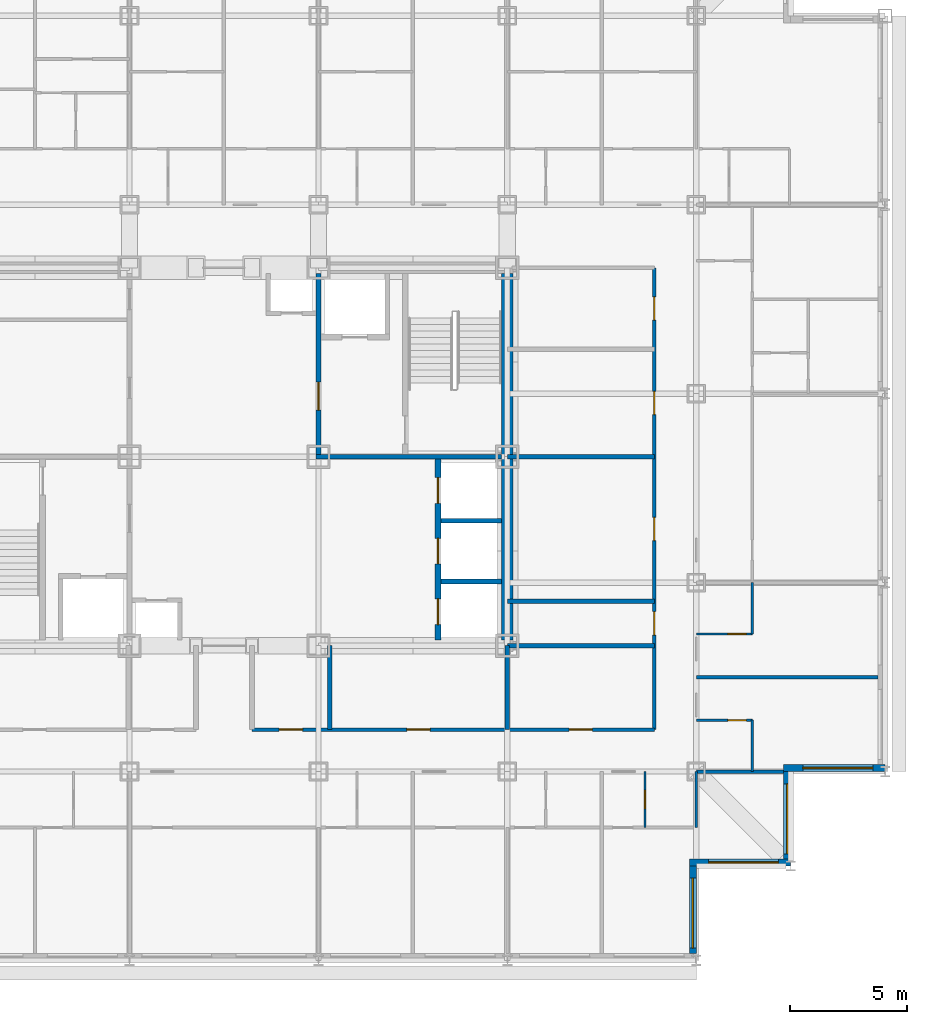
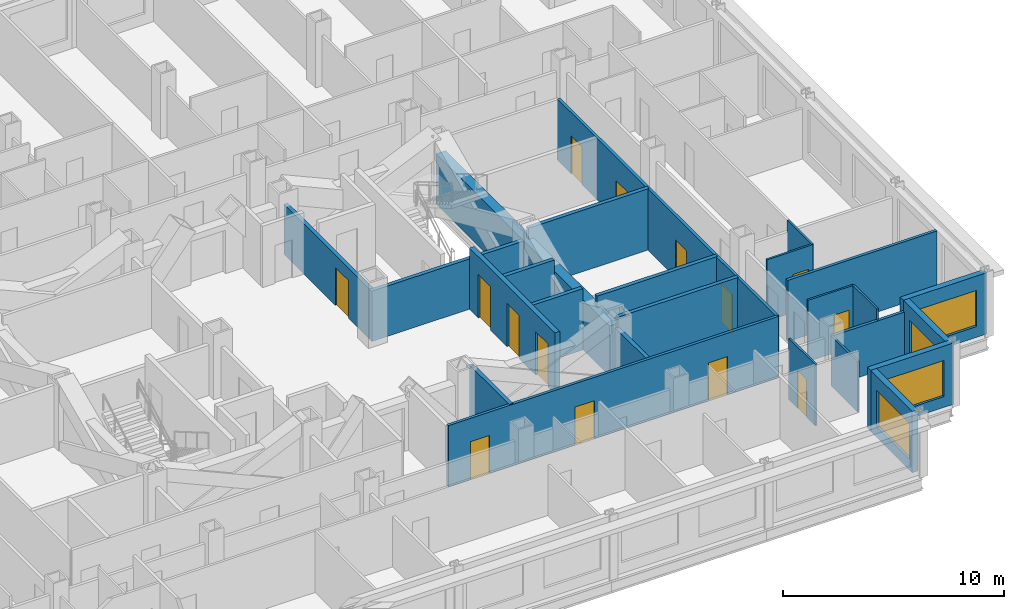
# One storey, part 7 of 12: 25 walls, 14 doors, 4 windows, 18 openings.
"""IFC4 building model written with IfcOpenShell, lengths in metres."""

from ifc_helpers import new_model, si_unit, direction, frame, frame_2d, origin, place, context, subcontext, project, spatial, rectangle, extrude, material, layer, layer_set, type_object, element, fill, save


model = new_model("IFC4")

# Units and contexts
model_context = context("Model", 3, precision=1e-05, world=origin(), true_north=direction((0.0, 1.0)))
body_context = subcontext(model_context, "Body", "Model", "MODEL_VIEW")
ifc_project = project(units=[si_unit("LENGTHUNIT", "METRE"), si_unit("AREAUNIT", "SQUARE_METRE"), si_unit("VOLUMEUNIT", "CUBIC_METRE"), si_unit("PLANEANGLEUNIT", "RADIAN"), si_unit("MASSUNIT", "GRAM", prefix="KILO")], contexts=[model_context])

# Site, building, storey
site_placement = place(None, origin())
site = spatial("IfcSite", under=ifc_project, at=site_placement, CompositionType="ELEMENT")
building_placement = place(site_placement, origin())
building = spatial("IfcBuilding", under=site, at=building_placement, Name="Kopane Lantern Tower", CompositionType="ELEMENT")
storey_placement = place(building_placement, frame((0.0, 0.0, 195.60009765625)))
storey = spatial("IfcBuildingStorey", under=building, at=storey_placement, Name="L50", CompositionType="ELEMENT", Elevation=195.60009765625)

# Wall
ifc_material_1 = material(Name="Moisture-resistant board on steel studs", Category="steel")
ifc_layer_1 = layer(ifc_material_1, 0.10009765625)
ifc_layer_set_1 = layer_set([ifc_layer_1], Name="BATHROOM WALL 100")
wall_type_1 = type_object("IfcWallType", Name="BATHROOM WALL 100", PredefinedType="PARTITIONING", material=ifc_layer_set_1)
wall_1_placement = place(storey_placement, frame((51.0, 18.89990234375, 0.0), z_axis=(0.0, 0.0, 1.0), x_axis=(0.0, 1.0, 0.0)))
element("IfcWall", 1, at=wall_1_placement, inside=storey, type_object=wall_type_1, Name="Bathroom Wall 100 L50", PredefinedType="PARTITIONING", context=body_context, shape_type="SweptSolid", body=[
    extrude(rectangle(XDim=2.2001953125, YDim=0.10009765625, at=frame_2d((1.10009765625, 0.0))), origin(), (0.0, 0.0, 1.0), 3.389892578125),
])

# Wall, opening, door
wall_2_placement = place(storey_placement, frame((48.60009765625, 21.10009765625, 0.0), z_axis=(0.0, 0.0, 1.0), x_axis=(1.0, 0.0, 0.0)))
wall_2 = element("IfcWall", 2, at=wall_2_placement, inside=storey, type_object=wall_type_1, Name="Bathroom Wall 100 L50", PredefinedType="PARTITIONING", context=body_context, shape_type="SweptSolid", body=[
    extrude(rectangle(XDim=2.39990234375, YDim=0.10009765625, at=frame_2d((1.199951171875, 0.0))), origin(), (0.0, 0.0, 1.0), 3.389892578125),
])
opening_1_placement = place(wall_2_placement, frame((1.35009765625, 0.0, 0.0)))
opening_1 = element("IfcOpeningElement", 3, at=opening_1_placement, cuts=wall_2, Name="Opening L50-052", PredefinedType="OPENING", context=body_context, shape_type="SweptSolid", body=[
    extrude(rectangle(XDim=0.800048828125, YDim=2.10009765625, at=frame_2d((0.39990234375, 1.050048828125))), frame((0.0, 0.06005859375, 0.0), z_axis=(0.0, -1.0, 0.0), x_axis=(1.0, 0.0, 0.0)), (0.0, 0.0, 1.0), 0.1201171875),
])
ifc_material_2 = material(Name="Timber door set", Category="wood")
door_type_1 = type_object("IfcDoorType", Name="DOOR D2 800x2100", OperationType="SINGLE_SWING_LEFT", PredefinedType="DOOR", material=ifc_material_2)
door_1_placement = place(opening_1_placement, origin())
door_1 = element("IfcDoor", 4, at=door_1_placement, inside=storey, type_object=door_type_1, Name="Door L50-052", OperationType="SINGLE_SWING_LEFT", OverallHeight=2.10009765625, OverallWidth=0.800048828125, PredefinedType="DOOR", context=body_context, shape_type="SweptSolid", body=[
    extrude(rectangle(XDim=0.800048828125, YDim=2.10009765625, at=frame_2d((0.39990234375, 1.050048828125))), frame((0.0, 0.02490234375, 0.0), z_axis=(0.0, -1.0, 0.0), x_axis=(1.0, 0.0, 0.0)), (0.0, 0.0, 1.0), 0.050048828125),
])
fill(opening_1, door_1)

# Wall
wall_3_placement = place(storey_placement, frame((51.0, 24.800048828125, 0.0), z_axis=(0.0, 0.0, 1.0), x_axis=(0.0, 1.0, 0.0)))
element("IfcWall", 5, at=wall_3_placement, inside=storey, type_object=wall_type_1, Name="Bathroom Wall 100 L50", PredefinedType="PARTITIONING", context=body_context, shape_type="SweptSolid", body=[
    extrude(rectangle(XDim=2.199951171875, YDim=0.10009765625, at=frame_2d((1.10009765625, 0.0))), origin(), (0.0, 0.0, 1.0), 3.389892578125),
])

# Wall, opening, door
wall_4_placement = place(storey_placement, frame((48.60009765625, 24.800048828125, 0.0), z_axis=(0.0, 0.0, 1.0), x_axis=(1.0, 0.0, 0.0)))
wall_4 = element("IfcWall", 6, at=wall_4_placement, inside=storey, type_object=wall_type_1, Name="Bathroom Wall 100 L50", PredefinedType="PARTITIONING", context=body_context, shape_type="SweptSolid", body=[
    extrude(rectangle(XDim=2.39990234375, YDim=0.10009765625, at=frame_2d((1.199951171875, 0.0))), origin(), (0.0, 0.0, 1.0), 3.389892578125),
])
opening_2_placement = place(wall_4_placement, frame((1.35009765625, 0.0, 0.0)))
opening_2 = element("IfcOpeningElement", 7, at=opening_2_placement, cuts=wall_4, Name="Opening L50-054", PredefinedType="OPENING", context=body_context, shape_type="SweptSolid", body=[
    extrude(rectangle(XDim=0.800048828125, YDim=2.10009765625, at=frame_2d((0.39990234375, 1.050048828125))), frame((0.0, 0.06005859375, 0.0), z_axis=(0.0, -1.0, 0.0), x_axis=(1.0, 0.0, 0.0)), (0.0, 0.0, 1.0), 0.1201171875),
])
door_2_placement = place(opening_2_placement, origin())
door_2 = element("IfcDoor", 8, at=door_2_placement, inside=storey, type_object=door_type_1, Name="Door L50-054", OperationType="SINGLE_SWING_RIGHT", OverallHeight=2.10009765625, OverallWidth=0.800048828125, PredefinedType="DOOR", context=body_context, shape_type="SweptSolid", body=[
    extrude(rectangle(XDim=0.800048828125, YDim=2.10009765625, at=frame_2d((0.39990234375, 1.050048828125))), frame((0.0, 0.02490234375, 0.0), z_axis=(0.0, -1.0, 0.0), x_axis=(1.0, 0.0, 0.0)), (0.0, 0.0, 1.0), 0.050048828125),
])
fill(opening_2, door_2)

wall_5_placement = place(storey_placement, frame((46.39990234375, 18.89990234375, 0.0), z_axis=(0.0, 0.0, 1.0), x_axis=(0.0, -1.0, 0.0)))
wall_5 = element("IfcWall", 9, at=wall_5_placement, inside=storey, type_object=wall_type_1, Name="Bathroom Wall 100 L50", PredefinedType="PARTITIONING", context=body_context, shape_type="SweptSolid", body=[
    extrude(rectangle(XDim=2.39990234375, YDim=0.10009765625, at=frame_2d((1.199951171875, 0.0))), origin(), (0.0, 0.0, 1.0), 3.389892578125),
])
opening_3_placement = place(wall_5_placement, frame((0.800048828125, 0.0, 0.0)))
opening_3 = element("IfcOpeningElement", 10, at=opening_3_placement, cuts=wall_5, Name="Opening L50-065", PredefinedType="OPENING", context=body_context, shape_type="SweptSolid", body=[
    extrude(rectangle(XDim=0.800048828125, YDim=2.10009765625, at=frame_2d((0.39990234375, 1.050048828125))), frame((0.0, 0.06005859375, 0.0), z_axis=(0.0, -1.0, 0.0), x_axis=(1.0, 0.0, 0.0)), (0.0, 0.0, 1.0), 0.1201171875),
])
door_3_placement = place(opening_3_placement, origin())
door_3 = element("IfcDoor", 11, at=door_3_placement, inside=storey, type_object=door_type_1, Name="Door L50-065", OperationType="SINGLE_SWING_LEFT", OverallHeight=2.10009765625, OverallWidth=0.800048828125, PredefinedType="DOOR", context=body_context, shape_type="SweptSolid", body=[
    extrude(rectangle(XDim=0.800048828125, YDim=2.10009765625, at=frame_2d((0.39990234375, 1.050048828125))), frame((0.0, 0.02490234375, 0.0), z_axis=(0.0, -1.0, 0.0), x_axis=(1.0, 0.0, 0.0)), (0.0, 0.0, 1.0), 0.050048828125),
])
fill(opening_3, door_3)

# Walls
wall_6_placement = place(storey_placement, frame((48.60009765625, 18.89990234375, 0.0), z_axis=(0.0, 0.0, 1.0), x_axis=(0.0, -1.0, 0.0)))
element("IfcWall", 12, at=wall_6_placement, inside=storey, type_object=wall_type_1, Name="Bathroom Wall 100 L50", PredefinedType="PARTITIONING", context=body_context, shape_type="SweptSolid", body=[
    extrude(rectangle(XDim=2.39990234375, YDim=0.10009765625, at=frame_2d((1.199951171875, 0.0))), origin(), (0.0, 0.0, 1.0), 2.777587890625),
])
ifc_material_3 = material(Name="Gypsum shaft wall EI 120", Category="gypsum")
ifc_layer_2 = layer(ifc_material_3, 0.5)
ifc_layer_set_2 = layer_set([ifc_layer_2], Name="CORE PERIMETER WALL 500 EI 120")
wall_type_2 = type_object("IfcWallType", Name="CORE PERIMETER WALL 500 EI 120", PredefinedType="SOLIDWALL", material=ifc_layer_set_2)
wall_7_placement = place(storey_placement, frame((40.5, 24.550048828125, 0.0), z_axis=(0.0, 0.0, 1.0), x_axis=(0.0, 1.0, 0.0)))
element("IfcWall", 13, at=wall_7_placement, inside=storey, type_object=wall_type_2, Name="Core shaft wall L50 PE", PredefinedType="SOLIDWALL", context=body_context, shape_type="SweptSolid", body=[
    extrude(rectangle(XDim=15.699951171875, YDim=0.5, at=frame_2d((7.85009765625, 0.0))), origin(), (0.0, 0.0, 1.0), 2.777587890625),
])

# Wall, openings, doors
ifc_material_4 = material(Name="Gypsum shaft wall EI 120", Category="gypsum")
ifc_layer_3 = layer(ifc_material_4, 0.25)
ifc_layer_set_3 = layer_set([ifc_layer_3], Name="CORE SHAFT WALL 250 EI 120")
wall_type_3 = type_object("IfcWallType", Name="CORE SHAFT WALL 250 EI 120", PredefinedType="SOLIDWALL", material=ifc_layer_set_3)
wall_8_placement = place(storey_placement, frame((37.52490234375, 24.550048828125, 0.0), z_axis=(0.0, 0.0, 1.0), x_axis=(0.0, 1.0, 0.0)))
wall_8 = element("IfcWall", 14, at=wall_8_placement, inside=storey, type_object=wall_type_3, Name="Core shaft wall L50 XLR", PredefinedType="SOLIDWALL", context=body_context, shape_type="SweptSolid", body=[
    extrude(rectangle(XDim=7.75, YDim=0.25, at=frame_2d((3.875, 0.0))), origin(), (0.0, 0.0, 1.0), 3.389892578125),
])
opening_4_placement = place(wall_8_placement, frame((0.64990234375, 0.0, 0.0)))
opening_4 = element("IfcOpeningElement", 15, at=opening_4_placement, cuts=wall_8, Name="Opening 50.LD-LR1", PredefinedType="OPENING", context=body_context, shape_type="SweptSolid", body=[
    extrude(rectangle(XDim=1.10009765625, YDim=2.39990234375, at=frame_2d((0.550048828125, 1.199951171875))), frame((0.0, 0.135009765625, 0.0), z_axis=(0.0, -1.0, 0.0), x_axis=(1.0, 0.0, 0.0)), (0.0, 0.0, 1.0), 0.27001953125),
])
opening_5_placement = place(wall_8_placement, frame((3.25, 0.0, 0.0)))
opening_5 = element("IfcOpeningElement", 16, at=opening_5_placement, cuts=wall_8, Name="Opening 50.LD-LR2", PredefinedType="OPENING", context=body_context, shape_type="SweptSolid", body=[
    extrude(rectangle(XDim=1.10009765625, YDim=2.39990234375, at=frame_2d((0.550048828125, 1.199951171875))), frame((0.0, 0.135009765625, 0.0), z_axis=(0.0, -1.0, 0.0), x_axis=(1.0, 0.0, 0.0)), (0.0, 0.0, 1.0), 0.27001953125),
])
opening_6_placement = place(wall_8_placement, frame((5.85009765625, 0.0, 0.0)))
opening_6 = element("IfcOpeningElement", 17, at=opening_6_placement, cuts=wall_8, Name="Opening 50.LD-LR3", PredefinedType="OPENING", context=body_context, shape_type="SweptSolid", body=[
    extrude(rectangle(XDim=1.10009765625, YDim=2.39990234375, at=frame_2d((0.550048828125, 1.199951171875))), frame((0.0, 0.135009765625, 0.0), z_axis=(0.0, -1.0, 0.0), x_axis=(1.0, 0.0, 0.0)), (0.0, 0.0, 1.0), 0.27001953125),
])
ifc_material_5 = material(Name="Steel door set", Category="steel")
door_type_2 = type_object("IfcDoorType", Name="LIFT LANDING DOOR 1100x2400 FD60", OperationType="DOUBLE_DOOR_SLIDING", PredefinedType="DOOR", material=ifc_material_5)
door_4_placement = place(opening_4_placement, origin())
door_4 = element("IfcDoor", 18, at=door_4_placement, inside=storey, type_object=door_type_2, Name="Landing door LR1 L50", OperationType="DOUBLE_DOOR_SLIDING", OverallHeight=2.39990234375, OverallWidth=1.10009765625, PredefinedType="DOOR", context=body_context, shape_type="SweptSolid", body=[
    extrude(rectangle(XDim=1.10009765625, YDim=2.39990234375, at=frame_2d((0.550048828125, 1.199951171875))), frame((0.0, 0.02490234375, 0.0), z_axis=(0.0, -1.0, 0.0), x_axis=(1.0, 0.0, 0.0)), (0.0, 0.0, 1.0), 0.050048828125),
])
fill(opening_4, door_4)
door_5_placement = place(opening_5_placement, origin())
door_5 = element("IfcDoor", 19, at=door_5_placement, inside=storey, type_object=door_type_2, Name="Landing door LR2 L50", OperationType="DOUBLE_DOOR_SLIDING", OverallHeight=2.39990234375, OverallWidth=1.10009765625, PredefinedType="DOOR", context=body_context, shape_type="SweptSolid", body=[
    extrude(rectangle(XDim=1.10009765625, YDim=2.39990234375, at=frame_2d((0.550048828125, 1.199951171875))), frame((0.0, 0.02490234375, 0.0), z_axis=(0.0, -1.0, 0.0), x_axis=(1.0, 0.0, 0.0)), (0.0, 0.0, 1.0), 0.050048828125),
])
fill(opening_5, door_5)
door_6_placement = place(opening_6_placement, origin())
door_6 = element("IfcDoor", 20, at=door_6_placement, inside=storey, type_object=door_type_2, Name="Landing door LR3 L50", OperationType="DOUBLE_DOOR_SLIDING", OverallHeight=2.39990234375, OverallWidth=1.10009765625, PredefinedType="DOOR", context=body_context, shape_type="SweptSolid", body=[
    extrude(rectangle(XDim=1.10009765625, YDim=2.39990234375, at=frame_2d((0.550048828125, 1.199951171875))), frame((0.0, 0.02490234375, 0.0), z_axis=(0.0, -1.0, 0.0), x_axis=(1.0, 0.0, 0.0)), (0.0, 0.0, 1.0), 0.050048828125),
])
fill(opening_6, door_6)

ifc_material_6 = material(Name="Gypsum board on steel studs", Category="steel")
ifc_layer_4 = layer(ifc_material_6, 0.14990234375)
ifc_layer_set_4 = layer_set([ifc_layer_4], Name="CORRIDOR WALL 150 EI 60")
wall_type_4 = type_object("IfcWallType", Name="CORRIDOR WALL 150 EI 60", PredefinedType="PARTITIONING", material=ifc_layer_set_4)
wall_9_placement = place(storey_placement, frame((46.800048828125, 20.699951171875, 0.0), z_axis=(0.0, 0.0, 1.0), x_axis=(0.0, 1.0, 0.0)))
wall_9 = element("IfcWall", 21, at=wall_9_placement, inside=storey, type_object=wall_type_4, Name="Corridor Wall 150 Ei 60 L50", PredefinedType="PARTITIONING", context=body_context, shape_type="SweptSolid", body=[
    extrude(rectangle(XDim=19.800048828125, YDim=0.14990234375, at=frame_2d((9.89990234375, 0.0))), origin(), (0.0, 0.0, 1.0), 3.389892578125),
])
opening_7_placement = place(wall_9_placement, frame((4.052490234375, 0.0, 0.0)))
opening_7 = element("IfcOpeningElement", 22, at=opening_7_placement, cuts=wall_9, Name="Opening L50-003", PredefinedType="OPENING", context=body_context, shape_type="SweptSolid", body=[
    extrude(rectangle(XDim=1.0, YDim=2.10009765625, at=frame_2d((0.5, 1.050048828125))), frame((0.0, 0.0849609375, 0.0), z_axis=(0.0, -1.0, 0.0), x_axis=(1.0, 0.0, 0.0)), (0.0, 0.0, 1.0), 0.169921875),
])
opening_8_placement = place(wall_9_placement, frame((8.102294921875, 0.0, 0.0)))
opening_8 = element("IfcOpeningElement", 23, at=opening_8_placement, cuts=wall_9, Name="Opening L50-004", PredefinedType="OPENING", context=body_context, shape_type="SweptSolid", body=[
    extrude(rectangle(XDim=1.0, YDim=2.10009765625, at=frame_2d((0.5, 1.050048828125))), frame((0.0, 0.0849609375, 0.0), z_axis=(0.0, -1.0, 0.0), x_axis=(1.0, 0.0, 0.0)), (0.0, 0.0, 1.0), 0.169921875),
])
opening_9_placement = place(wall_9_placement, frame((13.501708984375, 0.0, 0.0)))
opening_9 = element("IfcOpeningElement", 24, at=opening_9_placement, cuts=wall_9, Name="Opening L50-005", PredefinedType="OPENING", context=body_context, shape_type="SweptSolid", body=[
    extrude(rectangle(XDim=1.0, YDim=2.10009765625, at=frame_2d((0.5, 1.050048828125))), frame((0.0, 0.0849609375, 0.0), z_axis=(0.0, -1.0, 0.0), x_axis=(1.0, 0.0, 0.0)), (0.0, 0.0, 1.0), 0.169921875),
])
opening_10_placement = place(wall_9_placement, frame((17.551513671875, 0.0, 0.0)))
opening_10 = element("IfcOpeningElement", 25, at=opening_10_placement, cuts=wall_9, Name="Opening L50-006", PredefinedType="OPENING", context=body_context, shape_type="SweptSolid", body=[
    extrude(rectangle(XDim=1.0, YDim=2.10009765625, at=frame_2d((0.5, 1.050048828125))), frame((0.0, 0.0849609375, 0.0), z_axis=(0.0, -1.0, 0.0), x_axis=(1.0, 0.0, 0.0)), (0.0, 0.0, 1.0), 0.169921875),
])
ifc_material_7 = material(Name="Steel door set", Category="steel")
door_type_3 = type_object("IfcDoorType", Name="DOOR D5 1000x2100 FD60", OperationType="SINGLE_SWING_LEFT", PredefinedType="DOOR", material=ifc_material_7)
door_7_placement = place(opening_7_placement, origin())
door_7 = element("IfcDoor", 26, at=door_7_placement, inside=storey, type_object=door_type_3, Name="Door L50-003", OperationType="SINGLE_SWING_LEFT", OverallHeight=2.10009765625, OverallWidth=1.0, PredefinedType="DOOR", context=body_context, shape_type="SweptSolid", body=[
    extrude(rectangle(XDim=1.0, YDim=2.10009765625, at=frame_2d((0.5, 1.050048828125))), frame((0.0, 0.02490234375, 0.0), z_axis=(0.0, -1.0, 0.0), x_axis=(1.0, 0.0, 0.0)), (0.0, 0.0, 1.0), 0.050048828125),
])
fill(opening_7, door_7)
door_8_placement = place(opening_8_placement, origin())
door_8 = element("IfcDoor", 27, at=door_8_placement, inside=storey, type_object=door_type_3, Name="Door L50-004", OperationType="SINGLE_SWING_RIGHT", OverallHeight=2.10009765625, OverallWidth=1.0, PredefinedType="DOOR", context=body_context, shape_type="SweptSolid", body=[
    extrude(rectangle(XDim=1.0, YDim=2.10009765625, at=frame_2d((0.5, 1.050048828125))), frame((0.0, 0.02490234375, 0.0), z_axis=(0.0, -1.0, 0.0), x_axis=(1.0, 0.0, 0.0)), (0.0, 0.0, 1.0), 0.050048828125),
])
fill(opening_8, door_8)
door_9_placement = place(opening_9_placement, origin())
door_9 = element("IfcDoor", 28, at=door_9_placement, inside=storey, type_object=door_type_3, Name="Door L50-005", OperationType="SINGLE_SWING_LEFT", OverallHeight=2.10009765625, OverallWidth=1.0, PredefinedType="DOOR", context=body_context, shape_type="SweptSolid", body=[
    extrude(rectangle(XDim=1.0, YDim=2.10009765625, at=frame_2d((0.5, 1.050048828125))), frame((0.0, 0.02490234375, 0.0), z_axis=(0.0, -1.0, 0.0), x_axis=(1.0, 0.0, 0.0)), (0.0, 0.0, 1.0), 0.050048828125),
])
fill(opening_9, door_9)
door_10_placement = place(opening_10_placement, origin())
door_10 = element("IfcDoor", 29, at=door_10_placement, inside=storey, type_object=door_type_3, Name="Door L50-006", OperationType="SINGLE_SWING_RIGHT", OverallHeight=2.10009765625, OverallWidth=1.0, PredefinedType="DOOR", context=body_context, shape_type="SweptSolid", body=[
    extrude(rectangle(XDim=1.0, YDim=2.10009765625, at=frame_2d((0.5, 1.050048828125))), frame((0.0, 0.02490234375, 0.0), z_axis=(0.0, -1.0, 0.0), x_axis=(1.0, 0.0, 0.0)), (0.0, 0.0, 1.0), 0.050048828125),
])
fill(opening_10, door_10)

wall_10_placement = place(storey_placement, frame((29.56005859375, 20.699951171875, 0.0), z_axis=(0.0, 0.0, 1.0), x_axis=(1.0, 0.0, 0.0)))
wall_10 = element("IfcWall", 30, at=wall_10_placement, inside=storey, type_object=wall_type_4, Name="Corridor Wall 150 Ei 60 L50", PredefinedType="PARTITIONING", context=body_context, shape_type="SweptSolid", body=[
    extrude(rectangle(XDim=17.239990234375, YDim=0.14990234375, at=frame_2d((8.6201171875, 0.0))), origin(), (0.0, 0.0, 1.0), 3.389892578125),
])
opening_11_placement = place(wall_10_placement, frame((1.15673828125, 0.0, 0.0)))
opening_11 = element("IfcOpeningElement", 31, at=opening_11_placement, cuts=wall_10, Name="Opening L50-011", PredefinedType="OPENING", context=body_context, shape_type="SweptSolid", body=[
    extrude(rectangle(XDim=1.0, YDim=2.10009765625, at=frame_2d((0.5, 1.050048828125))), frame((0.0, 0.0849609375, 0.0), z_axis=(0.0, -1.0, 0.0), x_axis=(1.0, 0.0, 0.0)), (0.0, 0.0, 1.0), 0.169921875),
])
opening_12_placement = place(wall_10_placement, frame((6.631591796875, 0.0, 0.0)))
opening_12 = element("IfcOpeningElement", 32, at=opening_12_placement, cuts=wall_10, Name="Opening L50-012", PredefinedType="OPENING", context=body_context, shape_type="SweptSolid", body=[
    extrude(rectangle(XDim=1.0, YDim=2.10009765625, at=frame_2d((0.5, 1.050048828125))), frame((0.0, 0.0849609375, 0.0), z_axis=(0.0, -1.0, 0.0), x_axis=(1.0, 0.0, 0.0)), (0.0, 0.0, 1.0), 0.169921875),
])
opening_13_placement = place(wall_10_placement, frame((13.590087890625, 0.0, 0.0)))
opening_13 = element("IfcOpeningElement", 33, at=opening_13_placement, cuts=wall_10, Name="Opening L50-013", PredefinedType="OPENING", context=body_context, shape_type="SweptSolid", body=[
    extrude(rectangle(XDim=1.0, YDim=2.10009765625, at=frame_2d((0.5, 1.050048828125))), frame((0.0, 0.0849609375, 0.0), z_axis=(0.0, -1.0, 0.0), x_axis=(1.0, 0.0, 0.0)), (0.0, 0.0, 1.0), 0.169921875),
])
door_11_placement = place(opening_11_placement, origin())
door_11 = element("IfcDoor", 34, at=door_11_placement, inside=storey, type_object=door_type_3, Name="Door L50-011", OperationType="SINGLE_SWING_LEFT", OverallHeight=2.10009765625, OverallWidth=1.0, PredefinedType="DOOR", context=body_context, shape_type="SweptSolid", body=[
    extrude(rectangle(XDim=1.0, YDim=2.10009765625, at=frame_2d((0.5, 1.050048828125))), frame((0.0, 0.02490234375, 0.0), z_axis=(0.0, -1.0, 0.0), x_axis=(1.0, 0.0, 0.0)), (0.0, 0.0, 1.0), 0.050048828125),
])
fill(opening_11, door_11)
door_12_placement = place(opening_12_placement, origin())
door_12 = element("IfcDoor", 35, at=door_12_placement, inside=storey, type_object=door_type_3, Name="Door L50-012", OperationType="SINGLE_SWING_RIGHT", OverallHeight=2.10009765625, OverallWidth=1.0, PredefinedType="DOOR", context=body_context, shape_type="SweptSolid", body=[
    extrude(rectangle(XDim=1.0, YDim=2.10009765625, at=frame_2d((0.5, 1.050048828125))), frame((0.0, 0.02490234375, 0.0), z_axis=(0.0, -1.0, 0.0), x_axis=(1.0, 0.0, 0.0)), (0.0, 0.0, 1.0), 0.050048828125),
])
fill(opening_12, door_12)
door_13_placement = place(opening_13_placement, origin())
door_13 = element("IfcDoor", 36, at=door_13_placement, inside=storey, type_object=door_type_3, Name="Door L50-013", OperationType="SINGLE_SWING_LEFT", OverallHeight=2.10009765625, OverallWidth=1.0, PredefinedType="DOOR", context=body_context, shape_type="SweptSolid", body=[
    extrude(rectangle(XDim=1.0, YDim=2.10009765625, at=frame_2d((0.5, 1.050048828125))), frame((0.0, 0.02490234375, 0.0), z_axis=(0.0, -1.0, 0.0), x_axis=(1.0, 0.0, 0.0)), (0.0, 0.0, 1.0), 0.050048828125),
])
fill(opening_13, door_13)

# Walls
ifc_material_8 = material(Name="Gypsum board on steel studs", Category="steel")
ifc_layer_5 = layer(ifc_material_8, 0.14990234375)
ifc_layer_set_5 = layer_set([ifc_layer_5], Name="DEMISING WALL 150 EI 60")
wall_type_5 = type_object("IfcWallType", Name="DEMISING WALL 150 EI 60", PredefinedType="PARTITIONING", material=ifc_layer_set_5)
wall_11_placement = place(storey_placement, frame((48.60009765625, 22.949951171875, 0.0), z_axis=(0.0, 0.0, 1.0), x_axis=(1.0, 0.0, 0.0)))
element("IfcWall", 37, at=wall_11_placement, inside=storey, type_object=wall_type_5, Name="Demising Wall 150 Ei 60 L50", PredefinedType="PARTITIONING", context=body_context, shape_type="SweptSolid", body=[
    extrude(rectangle(XDim=7.7998046875, YDim=0.14990234375, at=frame_2d((3.89990234375, 0.0))), origin(), (0.0, 0.0, 1.0), 3.389892578125),
])
wall_12_placement = place(storey_placement, frame((48.60009765625, 18.89990234375, 0.0), z_axis=(0.0, 0.0, 1.0), x_axis=(1.0, 0.0, 0.0)))
element("IfcWall", 38, at=wall_12_placement, inside=storey, type_object=wall_type_5, Name="Demising Wall 150 Ei 60 L50", PredefinedType="PARTITIONING", context=body_context, shape_type="SweptSolid", body=[
    extrude(rectangle(XDim=3.75, YDim=0.14990234375, at=frame_2d((1.875, 0.0))), origin(), (0.0, 0.0, 1.0), 2.777587890625),
])

# Wall, opening, window
ifc_material_9 = material(Name="Terracotta rainscreen on light steel framing", Category="masonry")
ifc_layer_6 = layer(ifc_material_9, 0.300048828125)
ifc_layer_set_6 = layer_set([ifc_layer_6], Name="EXTERNAL WALL EW1 300 TERRACOTTA")
wall_type_6 = type_object("IfcWallType", Name="EXTERNAL WALL EW1 300 TERRACOTTA", PredefinedType="SOLIDWALL", material=ifc_layer_set_6)
wall_13_placement = place(storey_placement, frame((48.449951171875, 11.10009765625, 0.0), z_axis=(0.0, 0.0, 1.0), x_axis=(0.0, 1.0, 0.0)))
wall_13 = element("IfcWall", 39, at=wall_13_placement, inside=storey, type_object=wall_type_6, Name="External wall E L50", PredefinedType="SOLIDWALL", context=body_context, shape_type="SweptSolid", body=[
    extrude(rectangle(XDim=3.75, YDim=0.300048828125, at=frame_2d((1.875, 0.0))), origin(), (0.0, 0.0, 1.0), 3.389892578125),
])
opening_14_placement = place(wall_13_placement, frame((0.22509765625, 0.0, 0.60009765625)))
opening_14 = element("IfcOpeningElement", 40, at=opening_14_placement, cuts=wall_13, Name="Opening WR300200", PredefinedType="OPENING", context=body_context, shape_type="SweptSolid", body=[
    extrude(rectangle(XDim=3.0, YDim=2.0, at=frame_2d((1.5, 1.0))), frame((0.0, 0.159912109375, 0.0), z_axis=(0.0, -1.0, 0.0), x_axis=(1.0, 0.0, 0.0)), (0.0, 0.0, 1.0), 0.320068359375),
])
ifc_material_10 = material(Name="Aluminium and clear glass", Category="aluminium")
window_type = type_object("IfcWindowType", Name="RIBBON WINDOW WR300200 3000x2000", PartitioningType="SINGLE_PANEL", PredefinedType="WINDOW", material=ifc_material_10)
window_1_placement = place(opening_14_placement, origin())
window_1 = element("IfcWindow", 41, at=window_1_placement, inside=storey, type_object=window_type, Name="Window E L50", OverallHeight=2.0, OverallWidth=3.0, PartitioningType="SINGLE_PANEL", PredefinedType="WINDOW", context=body_context, shape_type="SweptSolid", body=[
    extrude(rectangle(XDim=3.0, YDim=2.0, at=frame_2d((1.5, 1.0))), frame((0.0, 0.030029296875, 0.0), z_axis=(0.0, -1.0, 0.0), x_axis=(1.0, 0.0, 0.0)), (0.0, 0.0, 1.0), 0.06005859375),
])
fill(opening_14, window_1)

wall_14_placement = place(storey_placement, frame((48.300048828125, 15.0, 0.0), z_axis=(0.0, 0.0, 1.0), x_axis=(1.0, 0.0, 0.0)))
wall_14 = element("IfcWall", 42, at=wall_14_placement, inside=storey, type_object=wall_type_6, Name="External wall S L50", PredefinedType="SOLIDWALL", context=body_context, shape_type="SweptSolid", body=[
    extrude(rectangle(XDim=4.349853515625, YDim=0.300048828125, at=frame_2d((2.1748046875, 0.0))), origin(), (0.0, 0.0, 1.0), 3.389892578125),
])
opening_15_placement = place(wall_14_placement, frame((0.824951171875, 0.0, 0.60009765625)))
opening_15 = element("IfcOpeningElement", 43, at=opening_15_placement, cuts=wall_14, Name="Opening WR300200", PredefinedType="OPENING", context=body_context, shape_type="SweptSolid", body=[
    extrude(rectangle(XDim=3.0, YDim=2.0, at=frame_2d((1.5, 1.0))), frame((0.0, 0.159912109375, 0.0), z_axis=(0.0, -1.0, 0.0), x_axis=(1.0, 0.0, 0.0)), (0.0, 0.0, 1.0), 0.320068359375),
])
window_2_placement = place(opening_15_placement, origin())
window_2 = element("IfcWindow", 44, at=window_2_placement, inside=storey, type_object=window_type, Name="Window S L50", OverallHeight=2.0, OverallWidth=3.0, PartitioningType="SINGLE_PANEL", PredefinedType="WINDOW", context=body_context, shape_type="SweptSolid", body=[
    extrude(rectangle(XDim=3.0, YDim=2.0, at=frame_2d((1.5, 1.0))), frame((0.0, 0.030029296875, 0.0), z_axis=(0.0, -1.0, 0.0), x_axis=(1.0, 0.0, 0.0)), (0.0, 0.0, 1.0), 0.06005859375),
])
fill(opening_15, window_2)

wall_15_placement = place(storey_placement, frame((52.5, 15.14990234375, 0.0), z_axis=(0.0, 0.0, 1.0), x_axis=(0.0, 1.0, 0.0)))
wall_15 = element("IfcWall", 45, at=wall_15_placement, inside=storey, type_object=wall_type_6, Name="External wall E L50", PredefinedType="SOLIDWALL", context=body_context, shape_type="SweptSolid", body=[
    extrude(rectangle(XDim=3.75, YDim=0.300048828125, at=frame_2d((1.875, 0.0))), origin(), (0.0, 0.0, 1.0), 3.389892578125),
])
opening_16_placement = place(wall_15_placement, frame((0.22509765625, 0.0, 0.60009765625)))
opening_16 = element("IfcOpeningElement", 46, at=opening_16_placement, cuts=wall_15, Name="Opening WR300200", PredefinedType="OPENING", context=body_context, shape_type="SweptSolid", body=[
    extrude(rectangle(XDim=3.0, YDim=2.0, at=frame_2d((1.5, 1.0))), frame((0.0, 0.159912109375, 0.0), z_axis=(0.0, -1.0, 0.0), x_axis=(1.0, 0.0, 0.0)), (0.0, 0.0, 1.0), 0.320068359375),
])
window_3_placement = place(opening_16_placement, origin())
window_3 = element("IfcWindow", 47, at=window_3_placement, inside=storey, type_object=window_type, Name="Window E L50", OverallHeight=2.0, OverallWidth=3.0, PartitioningType="SINGLE_PANEL", PredefinedType="WINDOW", context=body_context, shape_type="SweptSolid", body=[
    extrude(rectangle(XDim=3.0, YDim=2.0, at=frame_2d((1.5, 1.0))), frame((0.0, 0.030029296875, 0.0), z_axis=(0.0, -1.0, 0.0), x_axis=(1.0, 0.0, 0.0)), (0.0, 0.0, 1.0), 0.06005859375),
])
fill(opening_16, window_3)

wall_16_placement = place(storey_placement, frame((52.35009765625, 19.050048828125, 0.0), z_axis=(0.0, 0.0, 1.0), x_axis=(1.0, 0.0, 0.0)))
wall_16 = element("IfcWall", 48, at=wall_16_placement, inside=storey, type_object=wall_type_6, Name="External wall S L50", PredefinedType="SOLIDWALL", context=body_context, shape_type="SweptSolid", body=[
    extrude(rectangle(XDim=4.349853515625, YDim=0.300048828125, at=frame_2d((2.1748046875, 0.0))), origin(), (0.0, 0.0, 1.0), 3.389892578125),
])
opening_17_placement = place(wall_16_placement, frame((0.824951171875, 0.0, 0.60009765625)))
opening_17 = element("IfcOpeningElement", 49, at=opening_17_placement, cuts=wall_16, Name="Opening WR300200", PredefinedType="OPENING", context=body_context, shape_type="SweptSolid", body=[
    extrude(rectangle(XDim=3.0, YDim=2.0, at=frame_2d((1.5, 1.0))), frame((0.0, 0.159912109375, 0.0), z_axis=(0.0, -1.0, 0.0), x_axis=(1.0, 0.0, 0.0)), (0.0, 0.0, 1.0), 0.320068359375),
])
window_4_placement = place(opening_17_placement, origin())
window_4 = element("IfcWindow", 50, at=window_4_placement, inside=storey, type_object=window_type, Name="Window S L50", OverallHeight=2.0, OverallWidth=3.0, PartitioningType="SINGLE_PANEL", PredefinedType="WINDOW", context=body_context, shape_type="SweptSolid", body=[
    extrude(rectangle(XDim=3.0, YDim=2.0, at=frame_2d((1.5, 1.0))), frame((0.0, 0.030029296875, 0.0), z_axis=(0.0, -1.0, 0.0), x_axis=(1.0, 0.0, 0.0)), (0.0, 0.0, 1.0), 0.06005859375),
])
fill(opening_17, window_4)

# Walls
ifc_material_11 = material(Name="Concrete masonry", Category="masonry")
ifc_layer_7 = layer(ifc_material_11, 0.199951171875)
ifc_layer_set_7 = layer_set([ifc_layer_7], Name="PLANT ROOM WALL 200 EI 120")
wall_type_7 = type_object("IfcWallType", Name="PLANT ROOM WALL 200 EI 120", PredefinedType="SOLIDWALL", material=ifc_layer_set_7)
for number, where, z_axis, x_axis, name in (
    (51, (40.5, 32.39990234375, 0.0), (0.0, 0.0, 1.0), (1.0, 0.0, 0.0), "Plant Room Wall 200 Ei 120 L50"),
    (52, (46.800048828125, 26.204833984375, 0.0), (0.0, 0.0, 1.0), (-1.0, 0.0, 0.0), "Plant Room Wall 200 Ei 120 L50"),
):
    element("IfcWall", number, at=place(storey_placement, frame(where, z_axis=z_axis, x_axis=x_axis)), inside=storey, type_object=wall_type_7, Name=name, PredefinedType="SOLIDWALL", context=body_context, shape_type="SweptSolid", body=[
        extrude(rectangle(XDim=6.300048828125, YDim=0.199951171875, at=frame_2d((3.14990234375, 0.0))), origin(), (0.0, 0.0, 1.0), 3.389892578125),
    ])
wall_17_placement = place(storey_placement, frame((40.5, 20.699951171875, 0.0), z_axis=(0.0, 0.0, 1.0), x_axis=(0.0, 1.0, 0.0)))
element("IfcWall", 53, at=wall_17_placement, inside=storey, type_object=wall_type_7, Name="Plant Room Wall 200 Ei 120 L50", PredefinedType="SOLIDWALL", context=body_context, shape_type="SweptSolid", body=[
    extrude(rectangle(XDim=3.60009765625, YDim=0.199951171875, at=frame_2d((1.800048828125, 0.0))), origin(), (0.0, 0.0, 1.0), 2.777587890625),
])
wall_18_placement = place(storey_placement, frame((32.88330078125, 20.699951171875, 0.0), z_axis=(0.0, 0.0, 1.0), x_axis=(0.0, 1.0, 0.0)))
element("IfcWall", 54, at=wall_18_placement, inside=storey, type_object=wall_type_7, Name="Plant Room Wall 200 Ei 120 L50", PredefinedType="SOLIDWALL", context=body_context, shape_type="SweptSolid", body=[
    extrude(rectangle(XDim=3.60009765625, YDim=0.199951171875, at=frame_2d((1.800048828125, 0.0))), origin(), (0.0, 0.0, 1.0), 3.389892578125),
])
wall_19_placement = place(storey_placement, frame((40.5, 24.300048828125, 0.0), z_axis=(0.0, 0.0, 1.0), x_axis=(1.0, 0.0, 0.0)))
element("IfcWall", 55, at=wall_19_placement, inside=storey, type_object=wall_type_7, Name="Plant Room Wall 200 Ei 120 L50", PredefinedType="SOLIDWALL", context=body_context, shape_type="SweptSolid", body=[
    extrude(rectangle(XDim=6.300048828125, YDim=0.199951171875, at=frame_2d((3.14990234375, 0.0))), origin(), (0.0, 0.0, 1.0), 3.389892578125),
])
ifc_material_12 = material(Name="Gypsum shaft wall EI 120", Category="gypsum")
ifc_layer_8 = layer(ifc_material_12, 0.199951171875)
ifc_layer_set_8 = layer_set([ifc_layer_8], Name="SHAFT WALL 200 EI 120")
wall_type_8 = type_object("IfcWallType", Name="SHAFT WALL 200 EI 120", PredefinedType="SOLIDWALL", material=ifc_layer_set_8)
wall_20_placement = place(storey_placement, frame((32.300048828125, 32.39990234375, 0.0), z_axis=(0.0, 0.0, 1.0), x_axis=(1.0, 0.0, 0.0)))
element("IfcWall", 56, at=wall_20_placement, inside=storey, type_object=wall_type_8, Name="Core shaft wall L50 Y324E", PredefinedType="SOLIDWALL", context=body_context, shape_type="SweptSolid", body=[
    extrude(rectangle(XDim=7.949951171875, YDim=0.199951171875, at=frame_2d((3.97509765625, 0.0))), origin(), (0.0, 0.0, 1.0), 2.777587890625),
])

# Wall, opening, door
wall_21_placement = place(storey_placement, frame((32.39990234375, 32.5, 0.0), z_axis=(0.0, 0.0, 1.0), x_axis=(0.0, 1.0, 0.0)))
wall_21 = element("IfcWall", 57, at=wall_21_placement, inside=storey, type_object=wall_type_8, Name="Core shaft wall L50 X324", PredefinedType="SOLIDWALL", context=body_context, shape_type="SweptSolid", body=[
    extrude(rectangle(XDim=7.75, YDim=0.199951171875, at=frame_2d((3.875, 0.0))), origin(), (0.0, 0.0, 1.0), 2.777587890625),
])
opening_18_placement = place(wall_21_placement, frame((1.89990234375, 0.0, 0.0)))
opening_18 = element("IfcOpeningElement", 58, at=opening_18_placement, cuts=wall_21, Name="Opening 50.FL2", PredefinedType="OPENING", context=body_context, shape_type="SweptSolid", body=[
    extrude(rectangle(XDim=1.199951171875, YDim=2.10009765625, at=frame_2d((0.60009765625, 1.050048828125))), frame((0.0, 0.10986328125, 0.0), z_axis=(0.0, -1.0, 0.0), x_axis=(1.0, 0.0, 0.0)), (0.0, 0.0, 1.0), 0.219970703125),
])
ifc_material_13 = material(Name="Steel door set", Category="steel")
door_type_4 = type_object("IfcDoorType", Name="FIREFIGHTING LOBBY DOOR 1200x2100 FD60S", OperationType="SINGLE_SWING_RIGHT", PredefinedType="DOOR", material=ifc_material_13)
door_14_placement = place(opening_18_placement, origin())
door_14 = element("IfcDoor", 59, at=door_14_placement, inside=storey, type_object=door_type_4, Name="Firefighting lobby door FL2 L50", OperationType="SINGLE_SWING_LEFT", OverallHeight=2.10009765625, OverallWidth=1.199951171875, PredefinedType="DOOR", context=body_context, shape_type="SweptSolid", body=[
    extrude(rectangle(XDim=1.199951171875, YDim=2.10009765625, at=frame_2d((0.60009765625, 1.050048828125))), frame((0.0, 0.02490234375, 0.0), z_axis=(0.0, -1.0, 0.0), x_axis=(1.0, 0.0, 0.0)), (0.0, 0.0, 1.0), 0.050048828125),
])
fill(opening_18, door_14)

# Walls
for number, where, z_axis, x_axis, name in (
    (60, (37.64990234375, 27.050048828125, 0.0), (0.0, 0.0, 1.0), (1.0, 0.0, 0.0), "Core shaft wall L50 YLR12"),
    (61, (37.64990234375, 29.64990234375, 0.0), (0.0, 0.0, 1.0), (1.0, 0.0, 0.0), "Core shaft wall L50 YLR23"),
):
    element("IfcWall", number, at=place(storey_placement, frame(where, z_axis=z_axis, x_axis=x_axis)), inside=storey, type_object=wall_type_8, Name=name, PredefinedType="SOLIDWALL", context=body_context, shape_type="SweptSolid", body=[
        extrude(rectangle(XDim=2.60009765625, YDim=0.199951171875, at=frame_2d((1.300048828125, 0.0))), origin(), (0.0, 0.0, 1.0), 3.389892578125),
    ])

save(model, "model.ifc")
